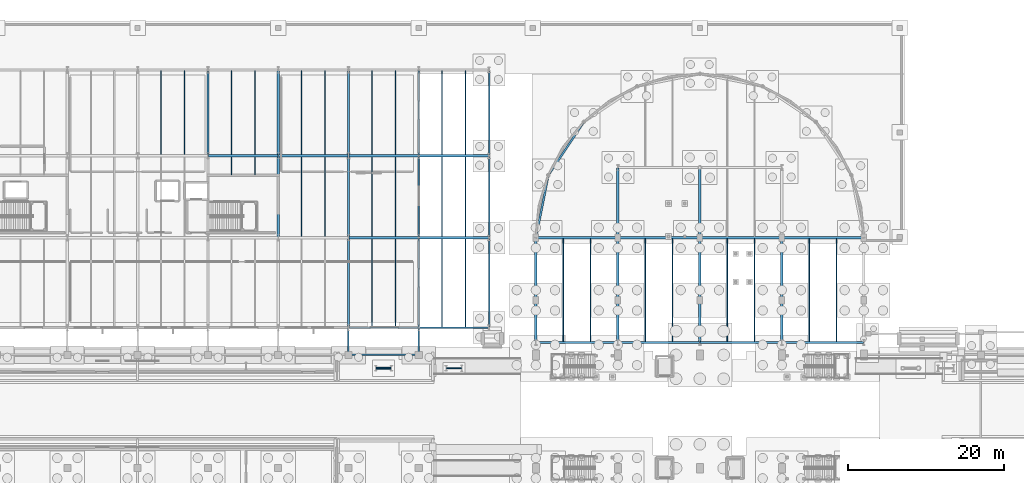
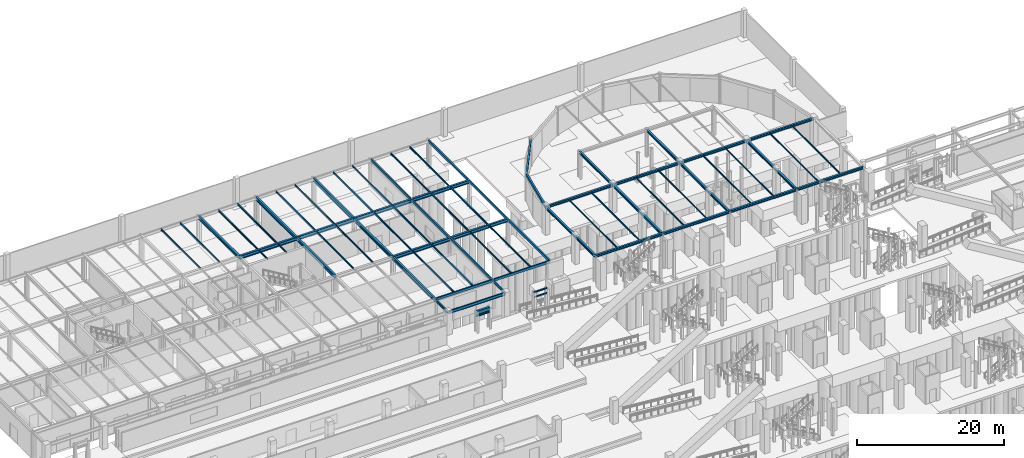
# One storey, part 75 of 160: 71 beams, 2 members.
"""IFC4 building model written with IfcOpenShell, lengths in metres."""

from ifc_helpers import new_model, si_unit, direction, frame, origin, origin_2d, place, context, subcontext, project, spatial, hollow_rectangle, i_section, extrude, material, material_profile, profile_set, type_object, element, save


model = new_model("IFC4")

# Units and contexts
model_context = context("Model", 3, precision=1e-05, world=origin(), true_north=direction((0.0, 1.0)))
body_context = subcontext(model_context, "Body", "Model", "MODEL_VIEW")
ifc_project = project(units=[si_unit("LENGTHUNIT", "METRE"), si_unit("AREAUNIT", "SQUARE_METRE"), si_unit("VOLUMEUNIT", "CUBIC_METRE"), si_unit("PLANEANGLEUNIT", "RADIAN"), si_unit("MASSUNIT", "GRAM", prefix="KILO")], contexts=[model_context])

# Site, building, storey
site_placement = place(None, origin())
site = spatial("IfcSite", under=ifc_project, at=site_placement, CompositionType="ELEMENT")
building_placement = place(site_placement, origin())
building = spatial("IfcBuilding", under=site, at=building_placement, Name="Marlcrest Central Station", CompositionType="ELEMENT")
storey_placement = place(building_placement, origin())
storey = spatial("IfcBuildingStorey", under=building, at=storey_placement, Name="L00", CompositionType="ELEMENT", Elevation=0.0)

# Beams
ifc_material = material(Name="Steel S355", Category="steel")
ifc_material_profile_1 = material_profile(ifc_material, i_section(OverallWidth=0.18994140625, OverallDepth=0.449951171875, WebThickness=0.009521484375, FlangeThickness=0.0146484375, FilletRadius=0.02099609375, at=origin_2d()), Name="IPE 450")
ifc_profile_set_1 = profile_set([ifc_material_profile_1], Name="Steel S355")
beam_type_1 = type_object("IfcBeamType", Name="BM-04", PredefinedType="BEAM", material=ifc_profile_set_1)
for number, where, z_axis, x_axis, name in (
    (1, (63.0, 95.550048828125, 4.385009765625), (0.0, 1.0, 0.0), (-1.0, 0.0, 0.0), "bm-BM-04-L00-01089"),
    (2, (72.0, 95.550048828125, 4.385009765625), (0.0, 1.0, 0.0), (-1.0, 0.0, 0.0), "bm-BM-04-L00-01094"),
):
    element("IfcBeam", number, at=place(storey_placement, frame(where, z_axis=z_axis, x_axis=x_axis)), inside=storey, type_object=beam_type_1, Name=name, PredefinedType="BEAM", context=body_context, shape_type="SweptSolid", body=[
        extrude(i_section(OverallWidth=0.18994140625, OverallDepth=0.449951171875, WebThickness=0.009521484375, FlangeThickness=0.0146484375, FilletRadius=0.02099609375, at=origin_2d()), origin(), (0.0, 0.0, 1.0), 3.39990234375),
    ])
ifc_material_profile_2 = material_profile(ifc_material, i_section(OverallWidth=0.199951171875, OverallDepth=0.5, WebThickness=0.01025390625, FlangeThickness=0.01611328125, FilletRadius=0.02099609375, at=origin_2d()), Name="IPE 500")
ifc_profile_set_2 = profile_set([ifc_material_profile_2], Name="Steel S355")
beam_type_2 = type_object("IfcBeamType", Name="BM-05", PredefinedType="BEAM", material=ifc_profile_set_2)
beam_1_placement = place(storey_placement, frame((63.050048828125, 95.5, 4.360107421875), z_axis=(1.0, 0.0, 0.0), x_axis=(0.0, 1.0, 0.0)))
element("IfcBeam", 3, at=beam_1_placement, inside=storey, type_object=beam_type_2, Name="bm-BM-05-L00-01092", PredefinedType="BEAM", context=body_context, shape_type="SweptSolid", body=[
    extrude(i_section(OverallWidth=0.199951171875, OverallDepth=0.5, WebThickness=0.01025390625, FlangeThickness=0.01611328125, FilletRadius=0.02099609375, at=origin_2d()), origin(), (0.0, 0.0, 1.0), 8.89990234375),
])
ifc_material_profile_3 = material_profile(ifc_material, i_section(OverallWidth=0.300048828125, OverallDepth=0.389892578125, WebThickness=0.010986328125, FlangeThickness=0.01904296875, FilletRadius=0.027099609375, at=origin_2d()), Name="HEA 400")
ifc_profile_set_3 = profile_set([ifc_material_profile_3], Name="Steel S355")
beam_type_3 = type_object("IfcBeamType", Name="BM-08", PredefinedType="BEAM", material=ifc_profile_set_3)
for number, where, z_axis, x_axis, name in (
    (4, (87.050048828125, 110.5, 4.324951171875), (1.0, 0.0, 0.0), (0.0, 1.0, 0.0), "bm-BM-08-L00-01428"),
    (5, (97.550048828125, 110.5, 4.324951171875), (1.0, 0.0, 0.0), (0.0, 1.0, 0.0), "bm-BM-08-L00-01429"),
    (6, (108.050048828125, 110.5, 4.324951171875), (1.0, 0.0, 0.0), (0.0, 1.0, 0.0), "bm-BM-08-L00-01430"),
    (7, (118.550048828125, 110.5, 4.324951171875), (1.0, 0.0, 0.0), (0.0, 1.0, 0.0), "bm-BM-08-L00-01431"),
):
    element("IfcBeam", number, at=place(storey_placement, frame(where, z_axis=z_axis, x_axis=x_axis)), inside=storey, type_object=beam_type_3, Name=name, PredefinedType="BEAM", context=body_context, shape_type="SweptSolid", body=[
        extrude(i_section(OverallWidth=0.300048828125, OverallDepth=0.389892578125, WebThickness=0.010986328125, FlangeThickness=0.01904296875, FilletRadius=0.027099609375, at=origin_2d()), origin(), (0.0, 0.0, 1.0), 10.39990234375),
    ])
for number, where, z_axis, x_axis, name in (
    (8, (97.5, 110.550048828125, 4.324951171875), (0.0, 1.0, 0.0), (-1.0, 0.0, 0.0), "bm-BM-08-L00-01432"),
    (9, (108.0, 110.550048828125, 4.324951171875), (0.0, 1.0, 0.0), (-1.0, 0.0, 0.0), "bm-BM-08-L00-01433"),
):
    element("IfcBeam", number, at=place(storey_placement, frame(where, z_axis=z_axis, x_axis=x_axis)), inside=storey, type_object=beam_type_3, Name=name, PredefinedType="BEAM", context=body_context, shape_type="SweptSolid", body=[
        extrude(i_section(OverallWidth=0.300048828125, OverallDepth=0.389892578125, WebThickness=0.010986328125, FlangeThickness=0.01904296875, FilletRadius=0.027099609375, at=origin_2d()), origin(), (0.0, 0.0, 1.0), 8.89990234375),
    ])
for number, where, z_axis, x_axis, name in (
    (10, (87.050048828125, 97.10009765625, 4.324951171875), (1.0, 0.0, 0.0), (0.0, 1.0, 0.0), "bm-BM-08-L00-01441"),
    (11, (97.550048828125, 97.10009765625, 4.324951171875), (1.0, 0.0, 0.0), (0.0, 1.0, 0.0), "bm-BM-08-L00-01442"),
    (12, (108.050048828125, 97.10009765625, 4.324951171875), (1.0, 0.0, 0.0), (0.0, 1.0, 0.0), "bm-BM-08-L00-01443"),
    (13, (118.550048828125, 97.10009765625, 4.324951171875), (1.0, 0.0, 0.0), (0.0, 1.0, 0.0), "bm-BM-08-L00-01444"),
):
    element("IfcBeam", number, at=place(storey_placement, frame(where, z_axis=z_axis, x_axis=x_axis)), inside=storey, type_object=beam_type_3, Name=name, PredefinedType="BEAM", context=body_context, shape_type="SweptSolid", body=[
        extrude(i_section(OverallWidth=0.300048828125, OverallDepth=0.389892578125, WebThickness=0.010986328125, FlangeThickness=0.01904296875, FilletRadius=0.027099609375, at=origin_2d()), origin(), (0.0, 0.0, 1.0), 10.39990234375),
    ])
for number, where, z_axis, x_axis, name in (
    (14, (87.0, 97.14990234375, 4.324951171875), (0.0, 1.0, 0.0), (-1.0, 0.0, 0.0), "bm-BM-08-L00-01445"),
    (15, (97.5, 97.14990234375, 4.324951171875), (0.0, 1.0, 0.0), (-1.0, 0.0, 0.0), "bm-BM-08-L00-01446"),
    (16, (108.0, 97.14990234375, 4.324951171875), (0.0, 1.0, 0.0), (-1.0, 0.0, 0.0), "bm-BM-08-L00-01447"),
    (17, (118.5, 97.14990234375, 4.324951171875), (0.0, 1.0, 0.0), (-1.0, 0.0, 0.0), "bm-BM-08-L00-01448"),
):
    element("IfcBeam", number, at=place(storey_placement, frame(where, z_axis=z_axis, x_axis=x_axis)), inside=storey, type_object=beam_type_3, Name=name, PredefinedType="BEAM", context=body_context, shape_type="SweptSolid", body=[
        extrude(i_section(OverallWidth=0.300048828125, OverallDepth=0.389892578125, WebThickness=0.010986328125, FlangeThickness=0.01904296875, FilletRadius=0.027099609375, at=origin_2d()), origin(), (0.0, 0.0, 1.0), 13.300048828125),
    ])
ifc_material_profile_4 = material_profile(ifc_material, i_section(OverallWidth=0.300048828125, OverallDepth=0.550048828125, WebThickness=0.014892578125, FlangeThickness=0.029052734375, FilletRadius=0.027099609375, at=origin_2d()), Name="HEB 550")
ifc_profile_set_4 = profile_set([ifc_material_profile_4], Name="Steel S355")
beam_type_4 = type_object("IfcBeamType", Name="BM-11", PredefinedType="BEAM", material=ifc_profile_set_4)
for number, where, z_axis, x_axis, name in (
    (18, (63.050048828125, 110.5, 4.3349609375), (1.0, 0.0, 0.0), (0.0, 1.0, 0.0), "bm-BM-11-L00-00123"),
    (19, (45.050048828125, 121.0, 4.3349609375), (1.0, 0.0, 0.0), (0.0, 1.0, 0.0), "bm-BM-11-L00-00129"),
    (20, (54.050048828125, 121.0, 4.3349609375), (1.0, 0.0, 0.0), (0.0, 1.0, 0.0), "bm-BM-11-L00-00130"),
    (21, (63.050048828125, 121.0, 4.3349609375), (1.0, 0.0, 0.0), (0.0, 1.0, 0.0), "bm-BM-11-L00-00131"),
):
    element("IfcBeam", number, at=place(storey_placement, frame(where, z_axis=z_axis, x_axis=x_axis)), inside=storey, type_object=beam_type_4, Name=name, PredefinedType="BEAM", context=body_context, shape_type="SweptSolid", body=[
        extrude(i_section(OverallWidth=0.300048828125, OverallDepth=0.550048828125, WebThickness=0.014892578125, FlangeThickness=0.029052734375, FilletRadius=0.027099609375, at=origin_2d()), origin(), (0.0, 0.0, 1.0), 8.89990234375),
    ])
beam_2_placement = place(storey_placement, frame((45.0, 121.050048828125, 4.3349609375), z_axis=(0.0, 1.0, 0.0), x_axis=(-1.0, 0.0, 0.0)))
element("IfcBeam", 22, at=beam_2_placement, inside=storey, type_object=beam_type_4, Name="bm-BM-11-L00-00157", PredefinedType="BEAM", context=body_context, shape_type="SweptSolid", body=[
    extrude(i_section(OverallWidth=0.300048828125, OverallDepth=0.550048828125, WebThickness=0.014892578125, FlangeThickness=0.029052734375, FilletRadius=0.027099609375, at=origin_2d()), origin(), (0.0, 0.0, 1.0), 10.89990234375),
])
beam_3_placement = place(storey_placement, frame((54.0, 110.550048828125, 4.3349609375), z_axis=(0.0, 1.0, 0.0), x_axis=(-1.0, 0.0, 0.0)))
element("IfcBeam", 23, at=beam_3_placement, inside=storey, type_object=beam_type_4, Name="bm-BM-11-L00-00159", PredefinedType="BEAM", context=body_context, shape_type="SweptSolid", body=[
    extrude(i_section(OverallWidth=0.300048828125, OverallDepth=0.550048828125, WebThickness=0.014892578125, FlangeThickness=0.029052734375, FilletRadius=0.027099609375, at=origin_2d()), origin(), (0.0, 0.0, 1.0), 10.39990234375),
])
beam_4_placement = place(storey_placement, frame((54.0, 121.050048828125, 4.3349609375), z_axis=(0.0, 1.0, 0.0), x_axis=(-1.0, 0.0, 0.0)))
element("IfcBeam", 24, at=beam_4_placement, inside=storey, type_object=beam_type_4, Name="bm-BM-11-L00-00160", PredefinedType="BEAM", context=body_context, shape_type="SweptSolid", body=[
    extrude(i_section(OverallWidth=0.300048828125, OverallDepth=0.550048828125, WebThickness=0.014892578125, FlangeThickness=0.029052734375, FilletRadius=0.027099609375, at=origin_2d()), origin(), (0.0, 0.0, 1.0), 10.89990234375),
])
beam_5_placement = place(storey_placement, frame((63.0, 99.050048828125, 4.3349609375), z_axis=(0.0, 1.0, 0.0), x_axis=(-1.0, 0.0, 0.0)))
element("IfcBeam", 25, at=beam_5_placement, inside=storey, type_object=beam_type_4, Name="bm-BM-11-L00-00161", PredefinedType="BEAM", context=body_context, shape_type="SweptSolid", body=[
    extrude(i_section(OverallWidth=0.300048828125, OverallDepth=0.550048828125, WebThickness=0.014892578125, FlangeThickness=0.029052734375, FilletRadius=0.027099609375, at=origin_2d()), origin(), (0.0, 0.0, 1.0), 11.39990234375),
])
beam_6_placement = place(storey_placement, frame((63.0, 110.550048828125, 4.3349609375), z_axis=(0.0, 1.0, 0.0), x_axis=(-1.0, 0.0, 0.0)))
element("IfcBeam", 26, at=beam_6_placement, inside=storey, type_object=beam_type_4, Name="bm-BM-11-L00-00162", PredefinedType="BEAM", context=body_context, shape_type="SweptSolid", body=[
    extrude(i_section(OverallWidth=0.300048828125, OverallDepth=0.550048828125, WebThickness=0.014892578125, FlangeThickness=0.029052734375, FilletRadius=0.027099609375, at=origin_2d()), origin(), (0.0, 0.0, 1.0), 10.39990234375),
])
beam_7_placement = place(storey_placement, frame((63.0, 121.050048828125, 4.3349609375), z_axis=(0.0, 1.0, 0.0), x_axis=(-1.0, 0.0, 0.0)))
element("IfcBeam", 27, at=beam_7_placement, inside=storey, type_object=beam_type_4, Name="bm-BM-11-L00-00163", PredefinedType="BEAM", context=body_context, shape_type="SweptSolid", body=[
    extrude(i_section(OverallWidth=0.300048828125, OverallDepth=0.550048828125, WebThickness=0.014892578125, FlangeThickness=0.029052734375, FilletRadius=0.027099609375, at=origin_2d()), origin(), (0.0, 0.0, 1.0), 10.89990234375),
])
for number, where, z_axis, x_axis, name in (
    (28, (72.050048828125, 110.5, 4.330078125), (1.0, 0.0, 0.0), (0.0, 1.0, 0.0), "bm-BM-11-L00-00216"),
    (29, (72.050048828125, 121.0, 4.330078125), (1.0, 0.0, 0.0), (0.0, 1.0, 0.0), "bm-BM-11-L00-00217"),
):
    element("IfcBeam", number, at=place(storey_placement, frame(where, z_axis=z_axis, x_axis=x_axis)), inside=storey, type_object=beam_type_4, Name=name, PredefinedType="BEAM", context=body_context, shape_type="SweptSolid", body=[
        extrude(i_section(OverallWidth=0.300048828125, OverallDepth=0.550048828125, WebThickness=0.014892578125, FlangeThickness=0.029052734375, FilletRadius=0.027099609375, at=origin_2d()), origin(), (0.0, 0.0, 1.0), 8.89990234375),
    ])
ifc_material_profile_5 = material_profile(ifc_material, i_section(OverallWidth=0.300048828125, OverallDepth=0.699951171875, WebThickness=0.01708984375, FlangeThickness=0.031982421875, FilletRadius=0.027099609375, at=origin_2d()), Name="HEB 700")
ifc_profile_set_5 = profile_set([ifc_material_profile_5], Name="Steel S355")
beam_type_5 = type_object("IfcBeamType", Name="BM-21", PredefinedType="BEAM", material=ifc_profile_set_5)
beam_8_placement = place(storey_placement, frame((66.5, 93.800048828125, 4.10009765625), z_axis=(1.0, 0.0, 0.0), x_axis=(0.0, 1.0, 0.0)))
element("IfcBeam", 30, at=beam_8_placement, inside=storey, type_object=beam_type_5, Name="bm-BM-21-L00-01555", PredefinedType="BEAM", context=body_context, shape_type="SweptSolid", body=[
    extrude(i_section(OverallWidth=0.300048828125, OverallDepth=0.699951171875, WebThickness=0.01708984375, FlangeThickness=0.031982421875, FilletRadius=0.027099609375, at=origin_2d()), origin(), (0.0, 0.0, 1.0), 2.0),
])
ifc_material_profile_6 = material_profile(ifc_material, i_section(OverallWidth=0.110107421875, OverallDepth=0.219970703125, WebThickness=0.005859375, FlangeThickness=0.00927734375, FilletRadius=0.011962890625, at=origin_2d()), Name="IPE 220")
ifc_profile_set_6 = profile_set([ifc_material_profile_6], Name="Steel S355")
beam_type_6 = type_object("IfcBeamType", Name="JS-02", PredefinedType="JOIST", material=ifc_profile_set_6)
for number, where, z_axis, x_axis, name in (
    (31, (90.5, 97.248046875, 4.409912109375), (0.0, 1.0, 0.0), (-1.0, 0.0, 0.0), "bm-JS-02-L00-01450"),
    (32, (94.0, 97.248046875, 4.409912109375), (0.0, 1.0, 0.0), (-1.0, 0.0, 0.0), "bm-JS-02-L00-01451"),
    (33, (101.0, 97.248046875, 4.409912109375), (0.0, 1.0, 0.0), (-1.0, 0.0, 0.0), "bm-JS-02-L00-01452"),
    (34, (104.5, 97.248046875, 4.409912109375), (0.0, 1.0, 0.0), (-1.0, 0.0, 0.0), "bm-JS-02-L00-01453"),
    (35, (111.5, 97.248046875, 4.409912109375), (0.0, 1.0, 0.0), (-1.0, 0.0, 0.0), "bm-JS-02-L00-01454"),
    (36, (115.0, 97.248046875, 4.409912109375), (0.0, 1.0, 0.0), (-1.0, 0.0, 0.0), "bm-JS-02-L00-01455"),
    (37, (122.0, 97.248046875, 4.409912109375), (0.0, 1.0, 0.0), (-1.0, 0.0, 0.0), "bm-JS-02-L00-01456"),
    (38, (125.5, 97.248046875, 4.409912109375), (0.0, 1.0, 0.0), (-1.0, 0.0, 0.0), "bm-JS-02-L00-01457"),
):
    element("IfcBeam", number, at=place(storey_placement, frame(where, z_axis=z_axis, x_axis=x_axis)), inside=storey, type_object=beam_type_6, Name=name, PredefinedType="JOIST", context=body_context, shape_type="SweptSolid", body=[
        extrude(i_section(OverallWidth=0.110107421875, OverallDepth=0.219970703125, WebThickness=0.005859375, FlangeThickness=0.00927734375, FilletRadius=0.011962890625, at=origin_2d()), origin(), (0.0, 0.0, 1.0), 13.10400390625),
    ])
ifc_material_profile_7 = material_profile(ifc_material, i_section(OverallWidth=0.135009765625, OverallDepth=0.27001953125, WebThickness=0.006591796875, FlangeThickness=0.01025390625, FilletRadius=0.014892578125, at=origin_2d()), Name="IPE 270")
ifc_profile_set_7 = profile_set([ifc_material_profile_7], Name="Steel S355")
beam_type_7 = type_object("IfcBeamType", Name="JS-04", PredefinedType="JOIST", material=ifc_profile_set_7)
for number, where, z_axis, x_axis, name in (
    (39, (39.0, 121.14501953125, 4.47509765625), (0.0, 1.0, 0.0), (-1.0, 0.0, 0.0), "bm-JS-04-L00-00193"),
    (40, (42.0, 121.14501953125, 4.47509765625), (0.0, 1.0, 0.0), (-1.0, 0.0, 0.0), "bm-JS-04-L00-00196"),
):
    element("IfcBeam", number, at=place(storey_placement, frame(where, z_axis=z_axis, x_axis=x_axis)), inside=storey, type_object=beam_type_7, Name=name, PredefinedType="JOIST", context=body_context, shape_type="SweptSolid", body=[
        extrude(i_section(OverallWidth=0.135009765625, OverallDepth=0.27001953125, WebThickness=0.006591796875, FlangeThickness=0.01025390625, FilletRadius=0.014892578125, at=origin_2d()), origin(), (0.0, 0.0, 1.0), 10.760009765625),
    ])
beam_9_placement = place(storey_placement, frame((48.0, 118.52001953125, 4.47509765625), z_axis=(0.0, 1.0, 0.0), x_axis=(-1.0, 0.0, 0.0)))
element("IfcBeam", 41, at=beam_9_placement, inside=storey, type_object=beam_type_7, Name="bm-JS-04-L00-00198", PredefinedType="JOIST", context=body_context, shape_type="SweptSolid", body=[
    extrude(i_section(OverallWidth=0.135009765625, OverallDepth=0.27001953125, WebThickness=0.006591796875, FlangeThickness=0.01025390625, FilletRadius=0.014892578125, at=origin_2d()), origin(), (0.0, 0.0, 1.0), 2.3349609375),
])
beam_10_placement = place(storey_placement, frame((48.0, 121.14501953125, 4.47509765625), z_axis=(0.0, 1.0, 0.0), x_axis=(-1.0, 0.0, 0.0)))
element("IfcBeam", 42, at=beam_10_placement, inside=storey, type_object=beam_type_7, Name="bm-JS-04-L00-00199", PredefinedType="JOIST", context=body_context, shape_type="SweptSolid", body=[
    extrude(i_section(OverallWidth=0.135009765625, OverallDepth=0.27001953125, WebThickness=0.006591796875, FlangeThickness=0.01025390625, FilletRadius=0.014892578125, at=origin_2d()), origin(), (0.0, 0.0, 1.0), 10.760009765625),
])
beam_11_placement = place(storey_placement, frame((51.0, 118.52001953125, 4.47509765625), z_axis=(0.0, 1.0, 0.0), x_axis=(-1.0, 0.0, 0.0)))
element("IfcBeam", 43, at=beam_11_placement, inside=storey, type_object=beam_type_7, Name="bm-JS-04-L00-00201", PredefinedType="JOIST", context=body_context, shape_type="SweptSolid", body=[
    extrude(i_section(OverallWidth=0.135009765625, OverallDepth=0.27001953125, WebThickness=0.006591796875, FlangeThickness=0.01025390625, FilletRadius=0.014892578125, at=origin_2d()), origin(), (0.0, 0.0, 1.0), 2.3349609375),
])
beam_12_placement = place(storey_placement, frame((51.0, 121.14501953125, 4.47509765625), z_axis=(0.0, 1.0, 0.0), x_axis=(-1.0, 0.0, 0.0)))
element("IfcBeam", 44, at=beam_12_placement, inside=storey, type_object=beam_type_7, Name="bm-JS-04-L00-00202", PredefinedType="JOIST", context=body_context, shape_type="SweptSolid", body=[
    extrude(i_section(OverallWidth=0.135009765625, OverallDepth=0.27001953125, WebThickness=0.006591796875, FlangeThickness=0.01025390625, FilletRadius=0.014892578125, at=origin_2d()), origin(), (0.0, 0.0, 1.0), 10.760009765625),
])
beam_13_placement = place(storey_placement, frame((57.0, 110.64501953125, 4.47509765625), z_axis=(0.0, 1.0, 0.0), x_axis=(-1.0, 0.0, 0.0)))
element("IfcBeam", 45, at=beam_13_placement, inside=storey, type_object=beam_type_7, Name="bm-JS-04-L00-00204", PredefinedType="JOIST", context=body_context, shape_type="SweptSolid", body=[
    extrude(i_section(OverallWidth=0.135009765625, OverallDepth=0.27001953125, WebThickness=0.006591796875, FlangeThickness=0.01025390625, FilletRadius=0.014892578125, at=origin_2d()), origin(), (0.0, 0.0, 1.0), 10.2099609375),
])
beam_14_placement = place(storey_placement, frame((57.0, 121.14501953125, 4.47509765625), z_axis=(0.0, 1.0, 0.0), x_axis=(-1.0, 0.0, 0.0)))
element("IfcBeam", 46, at=beam_14_placement, inside=storey, type_object=beam_type_7, Name="bm-JS-04-L00-00205", PredefinedType="JOIST", context=body_context, shape_type="SweptSolid", body=[
    extrude(i_section(OverallWidth=0.135009765625, OverallDepth=0.27001953125, WebThickness=0.006591796875, FlangeThickness=0.01025390625, FilletRadius=0.014892578125, at=origin_2d()), origin(), (0.0, 0.0, 1.0), 10.760009765625),
])
beam_15_placement = place(storey_placement, frame((60.0, 110.64501953125, 4.47509765625), z_axis=(0.0, 1.0, 0.0), x_axis=(-1.0, 0.0, 0.0)))
element("IfcBeam", 47, at=beam_15_placement, inside=storey, type_object=beam_type_7, Name="bm-JS-04-L00-00207", PredefinedType="JOIST", context=body_context, shape_type="SweptSolid", body=[
    extrude(i_section(OverallWidth=0.135009765625, OverallDepth=0.27001953125, WebThickness=0.006591796875, FlangeThickness=0.01025390625, FilletRadius=0.014892578125, at=origin_2d()), origin(), (0.0, 0.0, 1.0), 10.2099609375),
])
beam_16_placement = place(storey_placement, frame((60.0, 121.14501953125, 4.47509765625), z_axis=(0.0, 1.0, 0.0), x_axis=(-1.0, 0.0, 0.0)))
element("IfcBeam", 48, at=beam_16_placement, inside=storey, type_object=beam_type_7, Name="bm-JS-04-L00-00208", PredefinedType="JOIST", context=body_context, shape_type="SweptSolid", body=[
    extrude(i_section(OverallWidth=0.135009765625, OverallDepth=0.27001953125, WebThickness=0.006591796875, FlangeThickness=0.01025390625, FilletRadius=0.014892578125, at=origin_2d()), origin(), (0.0, 0.0, 1.0), 10.760009765625),
])
beam_17_placement = place(storey_placement, frame((66.0, 99.094970703125, 4.47509765625), z_axis=(0.0, 1.0, 0.0), x_axis=(-1.0, 0.0, 0.0)))
element("IfcBeam", 49, at=beam_17_placement, inside=storey, type_object=beam_type_7, Name="bm-JS-04-L00-00209", PredefinedType="JOIST", context=body_context, shape_type="SweptSolid", body=[
    extrude(i_section(OverallWidth=0.135009765625, OverallDepth=0.27001953125, WebThickness=0.006591796875, FlangeThickness=0.01025390625, FilletRadius=0.014892578125, at=origin_2d()), origin(), (0.0, 0.0, 1.0), 11.260009765625),
])
beam_18_placement = place(storey_placement, frame((66.0, 110.64501953125, 4.47509765625), z_axis=(0.0, 1.0, 0.0), x_axis=(-1.0, 0.0, 0.0)))
element("IfcBeam", 50, at=beam_18_placement, inside=storey, type_object=beam_type_7, Name="bm-JS-04-L00-00210", PredefinedType="JOIST", context=body_context, shape_type="SweptSolid", body=[
    extrude(i_section(OverallWidth=0.135009765625, OverallDepth=0.27001953125, WebThickness=0.006591796875, FlangeThickness=0.01025390625, FilletRadius=0.014892578125, at=origin_2d()), origin(), (0.0, 0.0, 1.0), 10.2099609375),
])
beam_19_placement = place(storey_placement, frame((66.0, 121.14501953125, 4.47509765625), z_axis=(0.0, 1.0, 0.0), x_axis=(-1.0, 0.0, 0.0)))
element("IfcBeam", 51, at=beam_19_placement, inside=storey, type_object=beam_type_7, Name="bm-JS-04-L00-00211", PredefinedType="JOIST", context=body_context, shape_type="SweptSolid", body=[
    extrude(i_section(OverallWidth=0.135009765625, OverallDepth=0.27001953125, WebThickness=0.006591796875, FlangeThickness=0.01025390625, FilletRadius=0.014892578125, at=origin_2d()), origin(), (0.0, 0.0, 1.0), 10.760009765625),
])
beam_20_placement = place(storey_placement, frame((69.0, 99.094970703125, 4.47509765625), z_axis=(0.0, 1.0, 0.0), x_axis=(-1.0, 0.0, 0.0)))
element("IfcBeam", 52, at=beam_20_placement, inside=storey, type_object=beam_type_7, Name="bm-JS-04-L00-00212", PredefinedType="JOIST", context=body_context, shape_type="SweptSolid", body=[
    extrude(i_section(OverallWidth=0.135009765625, OverallDepth=0.27001953125, WebThickness=0.006591796875, FlangeThickness=0.01025390625, FilletRadius=0.014892578125, at=origin_2d()), origin(), (0.0, 0.0, 1.0), 11.260009765625),
])
beam_21_placement = place(storey_placement, frame((69.0, 110.64501953125, 4.47509765625), z_axis=(0.0, 1.0, 0.0), x_axis=(-1.0, 0.0, 0.0)))
element("IfcBeam", 53, at=beam_21_placement, inside=storey, type_object=beam_type_7, Name="bm-JS-04-L00-00213", PredefinedType="JOIST", context=body_context, shape_type="SweptSolid", body=[
    extrude(i_section(OverallWidth=0.135009765625, OverallDepth=0.27001953125, WebThickness=0.006591796875, FlangeThickness=0.01025390625, FilletRadius=0.014892578125, at=origin_2d()), origin(), (0.0, 0.0, 1.0), 10.2099609375),
])
beam_22_placement = place(storey_placement, frame((69.0, 121.14501953125, 4.47509765625), z_axis=(0.0, 1.0, 0.0), x_axis=(-1.0, 0.0, 0.0)))
element("IfcBeam", 54, at=beam_22_placement, inside=storey, type_object=beam_type_7, Name="bm-JS-04-L00-00214", PredefinedType="JOIST", context=body_context, shape_type="SweptSolid", body=[
    extrude(i_section(OverallWidth=0.135009765625, OverallDepth=0.27001953125, WebThickness=0.006591796875, FlangeThickness=0.01025390625, FilletRadius=0.014892578125, at=origin_2d()), origin(), (0.0, 0.0, 1.0), 10.760009765625),
])
for number, where, z_axis, x_axis, name in (
    (55, (75.0, 99.094970703125, 4.469970703125), (0.0, 1.0, 0.0), (-1.0, 0.0, 0.0), "bm-JS-04-L00-00220"),
    (56, (78.0, 99.094970703125, 4.469970703125), (0.0, 1.0, 0.0), (-1.0, 0.0, 0.0), "bm-JS-04-L00-00221"),
):
    element("IfcBeam", number, at=place(storey_placement, frame(where, z_axis=z_axis, x_axis=x_axis)), inside=storey, type_object=beam_type_7, Name=name, PredefinedType="JOIST", context=body_context, shape_type="SweptSolid", body=[
        extrude(i_section(OverallWidth=0.135009765625, OverallDepth=0.27001953125, WebThickness=0.006591796875, FlangeThickness=0.01025390625, FilletRadius=0.014892578125, at=origin_2d()), origin(), (0.0, 0.0, 1.0), 11.260009765625),
    ])
for number, where, z_axis, x_axis, name in (
    (57, (75.0, 110.64501953125, 4.469970703125), (0.0, 1.0, 0.0), (-1.0, 0.0, 0.0), "bm-JS-04-L00-00223"),
    (58, (78.0, 110.64501953125, 4.469970703125), (0.0, 1.0, 0.0), (-1.0, 0.0, 0.0), "bm-JS-04-L00-00224"),
):
    element("IfcBeam", number, at=place(storey_placement, frame(where, z_axis=z_axis, x_axis=x_axis)), inside=storey, type_object=beam_type_7, Name=name, PredefinedType="JOIST", context=body_context, shape_type="SweptSolid", body=[
        extrude(i_section(OverallWidth=0.135009765625, OverallDepth=0.27001953125, WebThickness=0.006591796875, FlangeThickness=0.01025390625, FilletRadius=0.014892578125, at=origin_2d()), origin(), (0.0, 0.0, 1.0), 10.2099609375),
    ])
for number, where, z_axis, x_axis, name in (
    (59, (75.0, 121.14501953125, 4.469970703125), (0.0, 1.0, 0.0), (-1.0, 0.0, 0.0), "bm-JS-04-L00-00226"),
    (60, (78.0, 121.14501953125, 4.469970703125), (0.0, 1.0, 0.0), (-1.0, 0.0, 0.0), "bm-JS-04-L00-00227"),
):
    element("IfcBeam", number, at=place(storey_placement, frame(where, z_axis=z_axis, x_axis=x_axis)), inside=storey, type_object=beam_type_7, Name=name, PredefinedType="JOIST", context=body_context, shape_type="SweptSolid", body=[
        extrude(i_section(OverallWidth=0.135009765625, OverallDepth=0.27001953125, WebThickness=0.006591796875, FlangeThickness=0.01025390625, FilletRadius=0.014892578125, at=origin_2d()), origin(), (0.0, 0.0, 1.0), 10.760009765625),
    ])
ifc_material_profile_8 = material_profile(ifc_material, i_section(OverallWidth=0.08203125, OverallDepth=0.159912109375, WebThickness=0.0048828125, FlangeThickness=0.00732421875, FilletRadius=0.009033203125, at=origin_2d()), Name="IPE 160")
ifc_profile_set_8 = profile_set([ifc_material_profile_8], Name="Steel S355")
beam_type_8 = type_object("IfcBeamType", Name="JS-05", PredefinedType="JOIST", material=ifc_profile_set_8)
beam_23_placement = place(storey_placement, frame((75.5, 93.800048828125, 4.3701171875), z_axis=(1.0, 0.0, 0.0), x_axis=(0.0, 1.0, 0.0)))
element("IfcBeam", 61, at=beam_23_placement, inside=storey, type_object=beam_type_8, Name="bm-JS-05-L00-01557", PredefinedType="JOIST", context=body_context, shape_type="SweptSolid", body=[
    extrude(i_section(OverallWidth=0.08203125, OverallDepth=0.159912109375, WebThickness=0.0048828125, FlangeThickness=0.00732421875, FilletRadius=0.009033203125, at=origin_2d()), origin(), (0.0, 0.0, 1.0), 2.0),
])

# Members
ifc_material_profile_9 = material_profile(ifc_material, i_section(OverallWidth=0.091064453125, OverallDepth=0.179931640625, WebThickness=0.00537109375, FlangeThickness=0.008056640625, FilletRadius=0.009033203125, at=origin_2d()), Name="IPE 180")
ifc_profile_set_9 = profile_set([ifc_material_profile_9], Name="Steel S355")
member_type_1 = type_object("IfcMemberType", Name="PR-05", PredefinedType="PURLIN", material=ifc_profile_set_9)
member_1_placement = place(storey_placement, frame((66.5, 93.800048828125, 3.550048828125), z_axis=(1.0, 0.0, 0.0), x_axis=(0.0, 1.0, 0.0)))
element("IfcMember", 62, at=member_1_placement, inside=storey, type_object=member_type_1, Name="mem-PR-05-L00-02549", PredefinedType="PURLIN", context=body_context, shape_type="SweptSolid", body=[
    extrude(i_section(OverallWidth=0.091064453125, OverallDepth=0.179931640625, WebThickness=0.00537109375, FlangeThickness=0.008056640625, FilletRadius=0.009033203125, at=origin_2d()), origin(), (0.0, 0.0, 1.0), 2.0),
])
ifc_material_profile_10 = material_profile(ifc_material, i_section(OverallWidth=0.110107421875, OverallDepth=0.219970703125, WebThickness=0.005859375, FlangeThickness=0.00927734375, FilletRadius=0.011962890625, at=origin_2d()), Name="IPE 220")
ifc_profile_set_10 = profile_set([ifc_material_profile_10], Name="Steel S355")
member_type_2 = type_object("IfcMemberType", Name="PR-06", PredefinedType="PURLIN", material=ifc_profile_set_10)
member_2_placement = place(storey_placement, frame((75.5, 93.800048828125, 3.550048828125), z_axis=(1.0, 0.0, 0.0), x_axis=(0.0, 1.0, 0.0)))
element("IfcMember", 63, at=member_2_placement, inside=storey, type_object=member_type_2, Name="mem-PR-06-L00-02551", PredefinedType="PURLIN", context=body_context, shape_type="SweptSolid", body=[
    extrude(i_section(OverallWidth=0.110107421875, OverallDepth=0.219970703125, WebThickness=0.005859375, FlangeThickness=0.00927734375, FilletRadius=0.011962890625, at=origin_2d()), origin(), (0.0, 0.0, 1.0), 2.0),
])

# Beams
ifc_material_profile_11 = material_profile(ifc_material, hollow_rectangle(XDim=0.199951171875, YDim=0.39990234375, WallThickness=0.01611328125, at=origin_2d()), Name="RHS 400x200x16")
ifc_profile_set_11 = profile_set([ifc_material_profile_11], Name="Steel S355")
beam_type_9 = type_object("IfcBeamType", Name="SP-01", PredefinedType="SPANDREL", material=ifc_profile_set_11)
beam_24_placement = place(storey_placement, frame((63.050048828125, 99.0, 4.409912109375), z_axis=(1.0, 0.0, 0.0), x_axis=(0.0, 1.0, 0.0)))
element("IfcBeam", 64, at=beam_24_placement, inside=storey, type_object=beam_type_9, Name="bm-SP-01-L00-00115", PredefinedType="SPANDREL", context=body_context, shape_type="SweptSolid", body=[
    extrude(hollow_rectangle(XDim=0.199951171875, YDim=0.39990234375, WallThickness=0.01611328125, at=origin_2d()), origin(), (0.0, 0.0, 1.0), 8.89990234375),
])
beam_25_placement = place(storey_placement, frame((72.0, 99.050048828125, 4.409912109375), z_axis=(0.0, 1.0, 0.0), x_axis=(-1.0, 0.0, 0.0)))
element("IfcBeam", 65, at=beam_25_placement, inside=storey, type_object=beam_type_9, Name="bm-SP-01-L00-00164", PredefinedType="SPANDREL", context=body_context, shape_type="SweptSolid", body=[
    extrude(hollow_rectangle(XDim=0.199951171875, YDim=0.39990234375, WallThickness=0.01611328125, at=origin_2d()), origin(), (0.0, 0.0, 1.0), 11.39990234375),
])
beam_26_placement = place(storey_placement, frame((72.0, 110.550048828125, 4.409912109375), z_axis=(0.0, 1.0, 0.0), x_axis=(-1.0, 0.0, 0.0)))
element("IfcBeam", 66, at=beam_26_placement, inside=storey, type_object=beam_type_9, Name="bm-SP-01-L00-00165", PredefinedType="SPANDREL", context=body_context, shape_type="SweptSolid", body=[
    extrude(hollow_rectangle(XDim=0.199951171875, YDim=0.39990234375, WallThickness=0.01611328125, at=origin_2d()), origin(), (0.0, 0.0, 1.0), 10.39990234375),
])
beam_27_placement = place(storey_placement, frame((72.0, 121.050048828125, 4.409912109375), z_axis=(0.0, 1.0, 0.0), x_axis=(-1.0, 0.0, 0.0)))
element("IfcBeam", 67, at=beam_27_placement, inside=storey, type_object=beam_type_9, Name="bm-SP-01-L00-00166", PredefinedType="SPANDREL", context=body_context, shape_type="SweptSolid", body=[
    extrude(hollow_rectangle(XDim=0.199951171875, YDim=0.39990234375, WallThickness=0.01611328125, at=origin_2d()), origin(), (0.0, 0.0, 1.0), 10.89990234375),
])
beam_28_placement = place(storey_placement, frame((72.050048828125, 99.0, 4.405029296875), z_axis=(1.0, 0.0, 0.0), x_axis=(0.0, 1.0, 0.0)))
element("IfcBeam", 68, at=beam_28_placement, inside=storey, type_object=beam_type_9, Name="bm-SP-01-L00-00215", PredefinedType="SPANDREL", context=body_context, shape_type="SweptSolid", body=[
    extrude(hollow_rectangle(XDim=0.199951171875, YDim=0.39990234375, WallThickness=0.01611328125, at=origin_2d()), origin(), (0.0, 0.0, 1.0), 8.89990234375),
])
beam_29_placement = place(storey_placement, frame((81.0, 99.050048828125, 4.405029296875), z_axis=(0.0, 1.0, 0.0), x_axis=(-1.0, 0.0, 0.0)))
element("IfcBeam", 69, at=beam_29_placement, inside=storey, type_object=beam_type_9, Name="bm-SP-01-L00-00219", PredefinedType="SPANDREL", context=body_context, shape_type="SweptSolid", body=[
    extrude(hollow_rectangle(XDim=0.199951171875, YDim=0.39990234375, WallThickness=0.01611328125, at=origin_2d()), origin(), (0.0, 0.0, 1.0), 11.39990234375),
])
beam_30_placement = place(storey_placement, frame((81.0, 110.550048828125, 4.405029296875), z_axis=(0.0, 1.0, 0.0), x_axis=(-1.0, 0.0, 0.0)))
element("IfcBeam", 70, at=beam_30_placement, inside=storey, type_object=beam_type_9, Name="bm-SP-01-L00-00222", PredefinedType="SPANDREL", context=body_context, shape_type="SweptSolid", body=[
    extrude(hollow_rectangle(XDim=0.199951171875, YDim=0.39990234375, WallThickness=0.01611328125, at=origin_2d()), origin(), (0.0, 0.0, 1.0), 10.39990234375),
])
beam_31_placement = place(storey_placement, frame((81.0, 121.050048828125, 4.405029296875), z_axis=(0.0, 1.0, 0.0), x_axis=(-1.0, 0.0, 0.0)))
element("IfcBeam", 71, at=beam_31_placement, inside=storey, type_object=beam_type_9, Name="bm-SP-01-L00-00225", PredefinedType="SPANDREL", context=body_context, shape_type="SweptSolid", body=[
    extrude(hollow_rectangle(XDim=0.199951171875, YDim=0.39990234375, WallThickness=0.01611328125, at=origin_2d()), origin(), (0.0, 0.0, 1.0), 10.89990234375),
])
ifc_material_profile_12 = material_profile(ifc_material, hollow_rectangle(XDim=0.25, YDim=0.449951171875, WallThickness=0.01611328125, at=origin_2d()), Name="RHS 450x250x16")
ifc_profile_set_12 = profile_set([ifc_material_profile_12], Name="Steel S355")
beam_type_10 = type_object("IfcBeamType", Name="SP-02", PredefinedType="SPANDREL", material=ifc_profile_set_12)
beam_32_placement = place(storey_placement, frame((87.0, 110.5, 4.294921875), z_axis=(0.19517056122, 0.980769316421, 0.0), x_axis=(-0.980769316421, 0.19517056122, 0.0)))
element("IfcBeam", 72, at=beam_32_placement, inside=storey, type_object=beam_type_10, Name="bm-SP-02-L00-01418", PredefinedType="SPANDREL", context=body_context, shape_type="SweptSolid", body=[
    extrude(hollow_rectangle(XDim=0.25, YDim=0.449951171875, WallThickness=0.01611328125, at=origin_2d()), origin(), (0.0, 0.0, 1.0), 8.193359375),
])
beam_33_placement = place(storey_placement, frame((88.59912109375, 118.535888671875, 4.294921875), z_axis=(0.55551129271, 0.831508991937, 0.0), x_axis=(-0.831508991937, 0.55551129271, 0.0)))
element("IfcBeam", 73, at=beam_33_placement, inside=storey, type_object=beam_type_10, Name="bm-SP-02-L00-01419", PredefinedType="SPANDREL", context=body_context, shape_type="SweptSolid", body=[
    extrude(hollow_rectangle(XDim=0.25, YDim=0.449951171875, WallThickness=0.01611328125, at=origin_2d()), origin(), (0.0, 0.0, 1.0), 8.19384765625),
])

save(model, "model.ifc")
